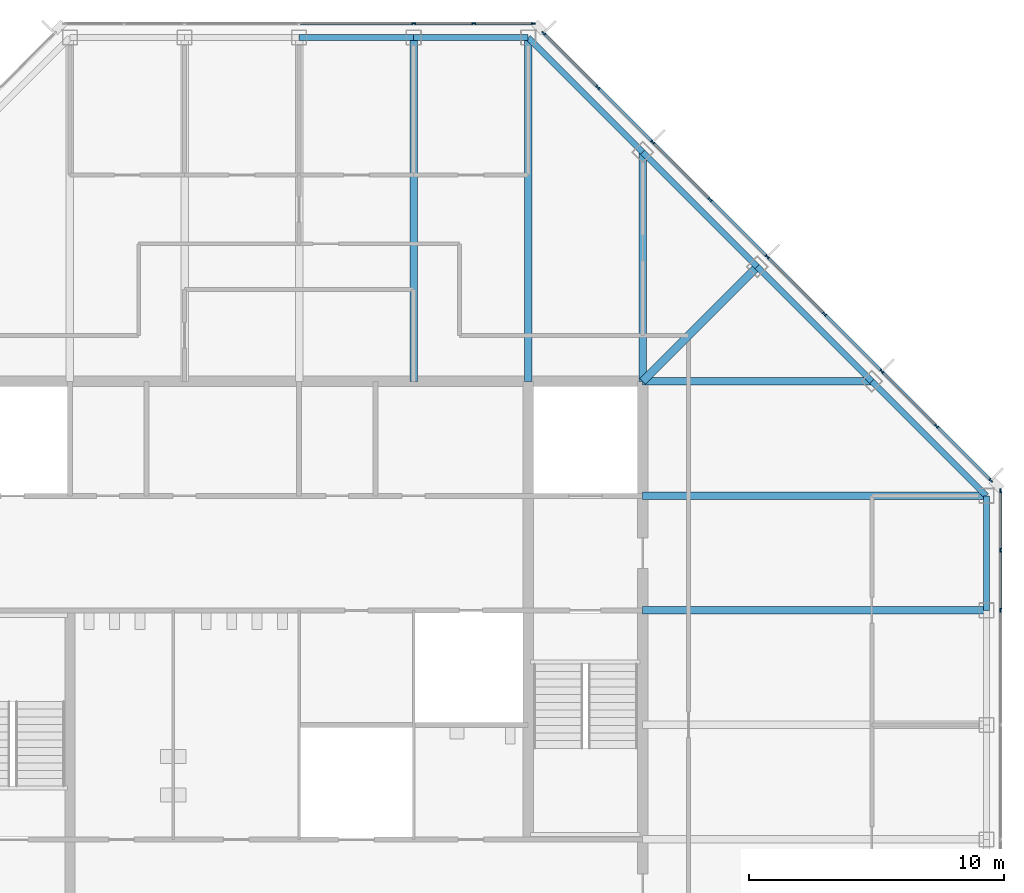
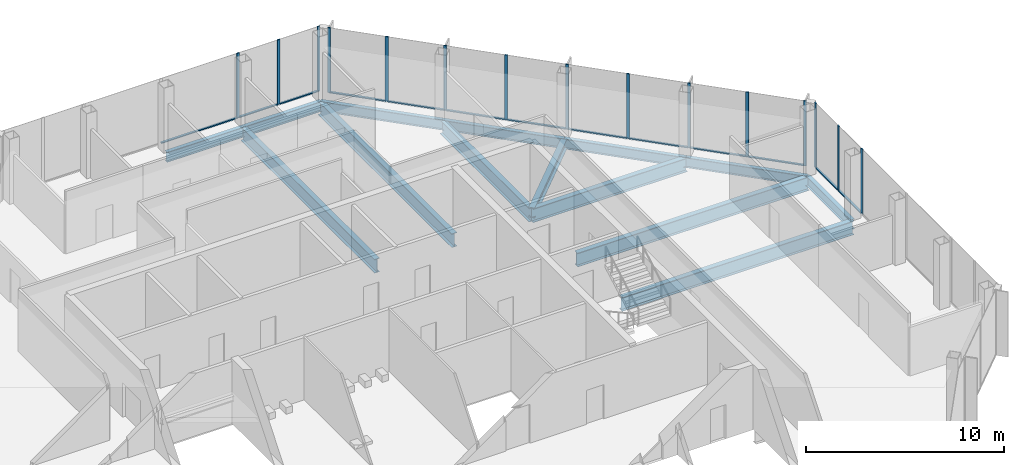
# One storey, part 7 of 14: 28 members, 14 beams, 3 elements without a shape of their own.
"""IFC4 building model written with IfcOpenShell, lengths in metres."""

from ifc_helpers import new_model, si_unit, direction, frame, origin, origin_2d, place, context, subcontext, project, spatial, rectangle, i_section, extrude, material, material_profile, profile_set, type_object, element, aggregate, save


model = new_model("IFC4")

# Units and contexts
model_context = context("Model", 3, precision=1e-05, world=origin(), true_north=direction((0.0, 1.0)))
body_context = subcontext(model_context, "Body", "Model", "MODEL_VIEW")
ifc_project = project(units=[si_unit("LENGTHUNIT", "METRE"), si_unit("AREAUNIT", "SQUARE_METRE"), si_unit("VOLUMEUNIT", "CUBIC_METRE"), si_unit("PLANEANGLEUNIT", "RADIAN"), si_unit("MASSUNIT", "GRAM", prefix="KILO")], contexts=[model_context])

# Site, building, storey
site_placement = place(None, origin())
site = spatial("IfcSite", under=ifc_project, at=site_placement, CompositionType="ELEMENT")
building_placement = place(site_placement, origin())
building = spatial("IfcBuilding", under=site, at=building_placement, Name="Corais Broadcast Tower", CompositionType="ELEMENT")
storey_placement = place(building_placement, frame((0.0, 0.0, 282.60009765625)))
storey = spatial("IfcBuildingStorey", under=building, at=storey_placement, Name="L66", CompositionType="ELEMENT", Elevation=282.60009765625)

# Beams
ifc_material_1 = material(Name="Steel ASTM A572 Grade 50", Category="steel")
ifc_material_profile_1 = material_profile(ifc_material_1, i_section(OverallWidth=0.323974609375, OverallDepth=0.611083984375, WebThickness=0.0126953125, FlangeThickness=0.01904296875, at=origin_2d()), Name="W610x155")
ifc_profile_set_1 = profile_set([ifc_material_profile_1], Name="Steel ASTM A572 Grade 50")
beam_type_1 = type_object("IfcBeamType", Name="Corner diagonal W610x155", PredefinedType="BEAM", material=ifc_profile_set_1)
beam_1_placement = place(storey_placement, frame((45.0, 45.0, -0.465576171875), z_axis=(-0.707106781187, -0.707106781187, 0.0), x_axis=(0.707106781187, -0.707106781187, 0.0)))
element("IfcBeam", 1, at=beam_1_placement, inside=storey, type_object=beam_type_1, Name="B6 L/13 to K/12", PredefinedType="BEAM", context=body_context, shape_type="SweptSolid", body=[
    extrude(i_section(OverallWidth=0.323974609375, OverallDepth=0.611083984375, WebThickness=0.0126953125, FlangeThickness=0.01904296875, at=origin_2d()), origin(), (0.0, 0.0, 1.0), 6.364013671875),
])
ifc_material_2 = material(Name="Steel ASTM A572 Grade 50", Category="steel")
ifc_material_profile_2 = material_profile(ifc_material_2, i_section(OverallWidth=0.2939453125, OverallDepth=0.85107421875, WebThickness=0.01611328125, FlangeThickness=0.02685546875, at=origin_2d()), Name="W840x226")
ifc_profile_set_2 = profile_set([ifc_material_profile_2], Name="Steel ASTM A572 Grade 50")
beam_type_2 = type_object("IfcBeamType", Name="Floor beam W840x226", PredefinedType="BEAM", material=ifc_profile_set_2)
for number, where, z_axis, x_axis, name in (
    (2, (31.5, 54.0, -0.585693359375), (0.0, -1.0, 0.0), (1.0, 0.0, 0.0), "B1 N/10 to K/10"),
    (3, (36.0, 54.0, -0.585693359375), (0.0, -1.0, 0.0), (1.0, 0.0, 0.0), "B1 N/11 to K/11"),
):
    element("IfcBeam", number, at=place(storey_placement, frame(where, z_axis=z_axis, x_axis=x_axis)), inside=storey, type_object=beam_type_2, Name=name, PredefinedType="BEAM", context=body_context, shape_type="SweptSolid", body=[
        extrude(i_section(OverallWidth=0.2939453125, OverallDepth=0.85107421875, WebThickness=0.01611328125, FlangeThickness=0.02685546875, at=origin_2d()), origin(), (0.0, 0.0, 1.0), 13.5),
    ])
for number, where, z_axis, x_axis, name in (
    (4, (40.5, 49.5, -0.585693359375), (0.0, -1.0, 0.0), (1.0, 0.0, 0.0), "B1 M/12 to K/12"),
    (5, (49.5, 40.5, -0.585693359375), (-1.0, 0.0, 0.0), (0.0, -1.0, 0.0), "B1 K/14 to K/12"),
):
    element("IfcBeam", number, at=place(storey_placement, frame(where, z_axis=z_axis, x_axis=x_axis)), inside=storey, type_object=beam_type_2, Name=name, PredefinedType="BEAM", context=body_context, shape_type="SweptSolid", body=[
        extrude(i_section(OverallWidth=0.2939453125, OverallDepth=0.85107421875, WebThickness=0.01611328125, FlangeThickness=0.02685546875, at=origin_2d()), origin(), (0.0, 0.0, 1.0), 9.0),
    ])
for number, where, z_axis, x_axis, name in (
    (6, (54.0, 31.5, -0.585693359375), (-1.0, 0.0, 0.0), (0.0, -1.0, 0.0), "B1 H/15 to H/12"),
    (7, (54.0, 36.0, -0.585693359375), (-1.0, 0.0, 0.0), (0.0, -1.0, 0.0), "B1 J/15 to J/12"),
):
    element("IfcBeam", number, at=place(storey_placement, frame(where, z_axis=z_axis, x_axis=x_axis)), inside=storey, type_object=beam_type_2, Name=name, PredefinedType="BEAM", context=body_context, shape_type="SweptSolid", body=[
        extrude(i_section(OverallWidth=0.2939453125, OverallDepth=0.85107421875, WebThickness=0.01611328125, FlangeThickness=0.02685546875, at=origin_2d()), origin(), (0.0, 0.0, 1.0), 13.5),
    ])

# Curtain wall, members
ifc_material_3 = material(Name="Aluminium and glass", Category="aluminium")
curtain_wall_type = type_object("IfcCurtainWallType", Name="Unitised fritted curtain wall CW3", PredefinedType="NOTDEFINED", material=ifc_material_3)
curtain_wall_1_placement = place(storey_placement, origin())
curtain_wall_1 = element("IfcCurtainWall", 8, at=curtain_wall_1_placement, inside=storey, type_object=curtain_wall_type, Name="CW3 curtain wall L66 4", PredefinedType="NOTDEFINED")
ifc_material_4 = material(Name="Aluminium 6063-T6", Category="aluminium")
ifc_material_profile_3 = material_profile(ifc_material_4, rectangle(XDim=0.06494140625, YDim=0.159912109375, at=origin_2d()), Name="Mullion CW3 65x160")
ifc_profile_set_3 = profile_set([ifc_material_profile_3], Name="Aluminium 6063-T6")
member_type_1 = type_object("IfcMemberType", Name="Mullion CW3 65x160", PredefinedType="MULLION", material=ifc_profile_set_3)
member_1_placement = place(storey_placement, frame((31.5, 54.550048828125, 0.0), z_axis=(0.0, 0.0, 1.0), x_axis=(0.0, 1.0, 0.0)))
member_1 = element("IfcMember", 9, at=member_1_placement, type_object=member_type_1, Name="CW3 mullion 5", PredefinedType="MULLION", context=body_context, shape_type="SweptSolid", body=[
    extrude(rectangle(XDim=0.06494140625, YDim=0.159912109375, at=origin_2d()), origin(), (0.0, 0.0, 1.0), 4.0),
])
member_2_placement = place(storey_placement, frame((33.864013671875, 54.550048828125, 0.0), z_axis=(0.0, 0.0, 1.0), x_axis=(0.0, 1.0, 0.0)))
member_2 = element("IfcMember", 10, at=member_2_placement, type_object=member_type_1, Name="CW3 mullion 6", PredefinedType="MULLION", context=body_context, shape_type="SweptSolid", body=[
    extrude(rectangle(XDim=0.06494140625, YDim=0.159912109375, at=origin_2d()), origin(), (0.0, 0.0, 1.0), 4.0),
])
member_3_placement = place(storey_placement, frame((36.1953125, 54.550048828125, 0.0), z_axis=(0.0, 0.0, 1.0), x_axis=(0.0, 1.0, 0.0)))
member_3 = element("IfcMember", 11, at=member_3_placement, type_object=member_type_1, Name="CW3 mullion 7", PredefinedType="MULLION", context=body_context, shape_type="SweptSolid", body=[
    extrude(rectangle(XDim=0.06494140625, YDim=0.159912109375, at=origin_2d()), origin(), (0.0, 0.0, 1.0), 4.0),
])

curtain_wall_2_placement = place(storey_placement, origin())
curtain_wall_2 = element("IfcCurtainWall", 12, at=curtain_wall_2_placement, inside=storey, type_object=curtain_wall_type, Name="CW3 curtain wall L66 5", PredefinedType="NOTDEFINED")
member_4_placement = place(storey_placement, frame((36.6044921875, 54.17333984375, 0.0), z_axis=(0.0, 0.0, 1.0), x_axis=(0.707106781187, 0.707106781187, 0.0)))
member_4 = element("IfcMember", 13, at=member_4_placement, type_object=member_type_1, Name="CW3 mullion 1", PredefinedType="MULLION", context=body_context, shape_type="SweptSolid", body=[
    extrude(rectangle(XDim=0.06494140625, YDim=0.159912109375, at=origin_2d()), origin(), (0.0, 0.0, 1.0), 4.0),
])
member_5_placement = place(storey_placement, frame((38.735107421875, 52.042724609375, 0.0), z_axis=(0.0, 0.0, 1.0), x_axis=(0.707106781187, 0.707106781187, 0.0)))
member_5 = element("IfcMember", 14, at=member_5_placement, type_object=member_type_1, Name="CW3 mullion 2", PredefinedType="MULLION", context=body_context, shape_type="SweptSolid", body=[
    extrude(rectangle(XDim=0.06494140625, YDim=0.159912109375, at=origin_2d()), origin(), (0.0, 0.0, 1.0), 4.0),
])
member_6_placement = place(storey_placement, frame((40.888916015625, 49.888916015625, 0.0), z_axis=(0.0, 0.0, 1.0), x_axis=(0.707106781187, 0.707106781187, 0.0)))
member_6 = element("IfcMember", 15, at=member_6_placement, type_object=member_type_1, Name="CW3 mullion 3", PredefinedType="MULLION", context=body_context, shape_type="SweptSolid", body=[
    extrude(rectangle(XDim=0.06494140625, YDim=0.159912109375, at=origin_2d()), origin(), (0.0, 0.0, 1.0), 4.0),
])
member_7_placement = place(storey_placement, frame((43.138916015625, 47.638916015625, 0.0), z_axis=(0.0, 0.0, 1.0), x_axis=(0.707106781187, 0.707106781187, 0.0)))
member_7 = element("IfcMember", 16, at=member_7_placement, type_object=member_type_1, Name="CW3 mullion 4", PredefinedType="MULLION", context=body_context, shape_type="SweptSolid", body=[
    extrude(rectangle(XDim=0.06494140625, YDim=0.159912109375, at=origin_2d()), origin(), (0.0, 0.0, 1.0), 4.0),
])
member_8_placement = place(storey_placement, frame((45.388916015625, 45.388916015625, 0.0), z_axis=(0.0, 0.0, 1.0), x_axis=(0.707106781187, 0.707106781187, 0.0)))
member_8 = element("IfcMember", 17, at=member_8_placement, type_object=member_type_1, Name="CW3 mullion 5", PredefinedType="MULLION", context=body_context, shape_type="SweptSolid", body=[
    extrude(rectangle(XDim=0.06494140625, YDim=0.159912109375, at=origin_2d()), origin(), (0.0, 0.0, 1.0), 4.0),
])
member_9_placement = place(storey_placement, frame((47.638916015625, 43.138916015625, 0.0), z_axis=(0.0, 0.0, 1.0), x_axis=(0.707106781187, 0.707106781187, 0.0)))
member_9 = element("IfcMember", 18, at=member_9_placement, type_object=member_type_1, Name="CW3 mullion 6", PredefinedType="MULLION", context=body_context, shape_type="SweptSolid", body=[
    extrude(rectangle(XDim=0.06494140625, YDim=0.159912109375, at=origin_2d()), origin(), (0.0, 0.0, 1.0), 4.0),
])
member_10_placement = place(storey_placement, frame((49.888916015625, 40.888916015625, 0.0), z_axis=(0.0, 0.0, 1.0), x_axis=(0.707106781187, 0.707106781187, 0.0)))
member_10 = element("IfcMember", 19, at=member_10_placement, type_object=member_type_1, Name="CW3 mullion 7", PredefinedType="MULLION", context=body_context, shape_type="SweptSolid", body=[
    extrude(rectangle(XDim=0.06494140625, YDim=0.159912109375, at=origin_2d()), origin(), (0.0, 0.0, 1.0), 4.0),
])
member_11_placement = place(storey_placement, frame((52.042724609375, 38.735107421875, 0.0), z_axis=(0.0, 0.0, 1.0), x_axis=(0.707106781187, 0.707106781187, 0.0)))
member_11 = element("IfcMember", 20, at=member_11_placement, type_object=member_type_1, Name="CW3 mullion 8", PredefinedType="MULLION", context=body_context, shape_type="SweptSolid", body=[
    extrude(rectangle(XDim=0.06494140625, YDim=0.159912109375, at=origin_2d()), origin(), (0.0, 0.0, 1.0), 4.0),
])
member_12_placement = place(storey_placement, frame((54.17333984375, 36.6044921875, 0.0), z_axis=(0.0, 0.0, 1.0), x_axis=(0.707106781187, 0.707106781187, 0.0)))
member_12 = element("IfcMember", 21, at=member_12_placement, type_object=member_type_1, Name="CW3 mullion 9", PredefinedType="MULLION", context=body_context, shape_type="SweptSolid", body=[
    extrude(rectangle(XDim=0.06494140625, YDim=0.159912109375, at=origin_2d()), origin(), (0.0, 0.0, 1.0), 4.0),
])

curtain_wall_3_placement = place(storey_placement, origin())
curtain_wall_3 = element("IfcCurtainWall", 22, at=curtain_wall_3_placement, inside=storey, type_object=curtain_wall_type, Name="CW3 curtain wall L66 6", PredefinedType="NOTDEFINED")
member_13_placement = place(storey_placement, frame((54.550048828125, 36.1953125, 0.0), z_axis=(0.0, 0.0, 1.0), x_axis=(1.0, 0.0, 0.0)))
member_13 = element("IfcMember", 23, at=member_13_placement, type_object=member_type_1, Name="CW3 mullion 1", PredefinedType="MULLION", context=body_context, shape_type="SweptSolid", body=[
    extrude(rectangle(XDim=0.06494140625, YDim=0.159912109375, at=origin_2d()), origin(), (0.0, 0.0, 1.0), 4.0),
])
member_14_placement = place(storey_placement, frame((54.550048828125, 33.864013671875, 0.0), z_axis=(0.0, 0.0, 1.0), x_axis=(1.0, 0.0, 0.0)))
member_14 = element("IfcMember", 24, at=member_14_placement, type_object=member_type_1, Name="CW3 mullion 2", PredefinedType="MULLION", context=body_context, shape_type="SweptSolid", body=[
    extrude(rectangle(XDim=0.06494140625, YDim=0.159912109375, at=origin_2d()), origin(), (0.0, 0.0, 1.0), 4.0),
])
member_15_placement = place(storey_placement, frame((54.550048828125, 31.5, 0.0), z_axis=(0.0, 0.0, 1.0), x_axis=(1.0, 0.0, 0.0)))
member_15 = element("IfcMember", 25, at=member_15_placement, type_object=member_type_1, Name="CW3 mullion 3", PredefinedType="MULLION", context=body_context, shape_type="SweptSolid", body=[
    extrude(rectangle(XDim=0.06494140625, YDim=0.159912109375, at=origin_2d()), origin(), (0.0, 0.0, 1.0), 4.0),
])

# Beams
ifc_material_5 = material(Name="Steel ASTM A572 Grade 50", Category="steel")
ifc_material_profile_4 = material_profile(ifc_material_5, i_section(OverallWidth=0.22998046875, OverallDepth=0.616943359375, WebThickness=0.01318359375, FlangeThickness=0.022216796875, at=origin_2d()), Name="W610x140")
ifc_profile_set_4 = profile_set([ifc_material_profile_4], Name="Steel ASTM A572 Grade 50")
beam_type_3 = type_object("IfcBeamType", Name="Spandrel W610x140", PredefinedType="BEAM", material=ifc_profile_set_4)
for number, where, z_axis, x_axis, name in (
    (26, (31.5, 54.0, -0.468505859375), (-1.0, 0.0, 0.0), (0.0, -1.0, 0.0), "SB3 N/10 to N/9"),
    (27, (36.0, 54.0, -0.468505859375), (-1.0, 0.0, 0.0), (0.0, -1.0, 0.0), "SB3 N/11 to N/10"),
):
    element("IfcBeam", number, at=place(storey_placement, frame(where, z_axis=z_axis, x_axis=x_axis)), inside=storey, type_object=beam_type_3, Name=name, PredefinedType="BEAM", context=body_context, shape_type="SweptSolid", body=[
        extrude(i_section(OverallWidth=0.22998046875, OverallDepth=0.616943359375, WebThickness=0.01318359375, FlangeThickness=0.022216796875, at=origin_2d()), origin(), (0.0, 0.0, 1.0), 4.5),
    ])
for number, where, z_axis, x_axis, name in (
    (28, (40.5, 49.5, -0.468505859375), (-0.707106781187, 0.707106781187, 0.0), (-0.707106781187, -0.707106781187, 0.0), "SB3 M/12 to N/11"),
    (29, (45.0, 45.0, -0.468505859375), (-0.707106781187, 0.707106781187, 0.0), (-0.707106781187, -0.707106781187, 0.0), "SB3 L/13 to M/12"),
    (30, (49.5, 40.5, -0.468505859375), (-0.707106781187, 0.707106781187, 0.0), (-0.707106781187, -0.707106781187, 0.0), "SB3 K/14 to L/13"),
):
    element("IfcBeam", number, at=place(storey_placement, frame(where, z_axis=z_axis, x_axis=x_axis)), inside=storey, type_object=beam_type_3, Name=name, PredefinedType="BEAM", context=body_context, shape_type="SweptSolid", body=[
        extrude(i_section(OverallWidth=0.22998046875, OverallDepth=0.616943359375, WebThickness=0.01318359375, FlangeThickness=0.022216796875, at=origin_2d()), origin(), (0.0, 0.0, 1.0), 6.364013671875),
    ])
beam_2_placement = place(storey_placement, frame((54.0, 31.5, -0.468505859375), z_axis=(0.0, 1.0, 0.0), x_axis=(-1.0, 0.0, 0.0)))
element("IfcBeam", 31, at=beam_2_placement, inside=storey, type_object=beam_type_3, Name="SB3 H/15 to J/15", PredefinedType="BEAM", context=body_context, shape_type="SweptSolid", body=[
    extrude(i_section(OverallWidth=0.22998046875, OverallDepth=0.616943359375, WebThickness=0.01318359375, FlangeThickness=0.022216796875, at=origin_2d()), origin(), (0.0, 0.0, 1.0), 4.5),
])
beam_3_placement = place(storey_placement, frame((54.0, 36.0, -0.468505859375), z_axis=(-0.707106781187, 0.707106781187, 0.0), x_axis=(-0.707106781187, -0.707106781187, 0.0)))
element("IfcBeam", 32, at=beam_3_placement, inside=storey, type_object=beam_type_3, Name="SB3 J/15 to K/14", PredefinedType="BEAM", context=body_context, shape_type="SweptSolid", body=[
    extrude(i_section(OverallWidth=0.22998046875, OverallDepth=0.616943359375, WebThickness=0.01318359375, FlangeThickness=0.022216796875, at=origin_2d()), origin(), (0.0, 0.0, 1.0), 6.364013671875),
])

# Member
ifc_material_6 = material(Name="Aluminium 6063-T6", Category="aluminium")
ifc_material_profile_5 = material_profile(ifc_material_6, rectangle(XDim=0.1201171875, YDim=0.06494140625, at=origin_2d()), Name="Transom CW3 65x120")
ifc_profile_set_5 = profile_set([ifc_material_profile_5], Name="Aluminium 6063-T6")
member_type_2 = type_object("IfcMemberType", Name="Transom CW3 65x120", PredefinedType="USERDEFINED", material=ifc_profile_set_5)
member_16_placement = place(storey_placement, frame((27.032470703125, 54.550048828125, 0.032470703125), z_axis=(1.0, 0.0, 0.0), x_axis=(0.0, 1.0, 0.0)))
member_16 = element("IfcMember", 33, at=member_16_placement, type_object=member_type_2, Name="CW3 transom 4.1", ObjectType="TRANSOM", PredefinedType="USERDEFINED", context=body_context, shape_type="SweptSolid", body=[
    extrude(rectangle(XDim=0.1201171875, YDim=0.06494140625, at=origin_2d()), origin(), (0.0, 0.0, 1.0), 4.43505859375),
])

member_17_placement = place(storey_placement, frame((31.532470703125, 54.550048828125, 0.032470703125), z_axis=(1.0, 0.0, 0.0), x_axis=(0.0, 1.0, 0.0)))
member_17 = element("IfcMember", 34, at=member_17_placement, type_object=member_type_2, Name="CW3 transom 5.1", ObjectType="TRANSOM", PredefinedType="USERDEFINED", context=body_context, shape_type="SweptSolid", body=[
    extrude(rectangle(XDim=0.1201171875, YDim=0.06494140625, at=origin_2d()), origin(), (0.0, 0.0, 1.0), 2.298828125),
])

member_18_placement = place(storey_placement, frame((33.896484375, 54.550048828125, 0.032470703125), z_axis=(1.0, 0.0, 0.0), x_axis=(0.0, 1.0, 0.0)))
member_18 = element("IfcMember", 35, at=member_18_placement, type_object=member_type_2, Name="CW3 transom 6.1", ObjectType="TRANSOM", PredefinedType="USERDEFINED", context=body_context, shape_type="SweptSolid", body=[
    extrude(rectangle(XDim=0.1201171875, YDim=0.06494140625, at=origin_2d()), origin(), (0.0, 0.0, 1.0), 2.266357421875),
])

aggregate(curtain_wall_1, [member_1, member_2, member_3, member_16, member_17, member_18])

member_19_placement = place(storey_placement, frame((36.62744140625, 54.150390625, 0.032470703125), z_axis=(0.707106781187, -0.707106781187, 0.0), x_axis=(0.707106781187, 0.707106781187, 0.0)))
member_19 = element("IfcMember", 36, at=member_19_placement, type_object=member_type_2, Name="CW3 transom 1.1", ObjectType="TRANSOM", PredefinedType="USERDEFINED", context=body_context, shape_type="SweptSolid", body=[
    extrude(rectangle(XDim=0.1201171875, YDim=0.06494140625, at=origin_2d()), origin(), (0.0, 0.0, 1.0), 2.9482421875),
])

member_20_placement = place(storey_placement, frame((38.758056640625, 52.019775390625, 0.032470703125), z_axis=(0.707106781187, -0.707106781187, 0.0), x_axis=(0.707106781187, 0.707106781187, 0.0)))
member_20 = element("IfcMember", 37, at=member_20_placement, type_object=member_type_2, Name="CW3 transom 2.1", ObjectType="TRANSOM", PredefinedType="USERDEFINED", context=body_context, shape_type="SweptSolid", body=[
    extrude(rectangle(XDim=0.1201171875, YDim=0.06494140625, at=origin_2d()), origin(), (0.0, 0.0, 1.0), 2.98095703125),
])

member_21_placement = place(storey_placement, frame((40.911865234375, 49.865966796875, 0.032470703125), z_axis=(0.707106781187, -0.707106781187, 0.0), x_axis=(0.707106781187, 0.707106781187, 0.0)))
member_21 = element("IfcMember", 38, at=member_21_placement, type_object=member_type_2, Name="CW3 transom 3.1", ObjectType="TRANSOM", PredefinedType="USERDEFINED", context=body_context, shape_type="SweptSolid", body=[
    extrude(rectangle(XDim=0.1201171875, YDim=0.06494140625, at=origin_2d()), origin(), (0.0, 0.0, 1.0), 3.1171875),
])

member_22_placement = place(storey_placement, frame((43.161865234375, 47.615966796875, 0.032470703125), z_axis=(0.707106781187, -0.707106781187, 0.0), x_axis=(0.707106781187, 0.707106781187, 0.0)))
member_22 = element("IfcMember", 39, at=member_22_placement, type_object=member_type_2, Name="CW3 transom 4.1", ObjectType="TRANSOM", PredefinedType="USERDEFINED", context=body_context, shape_type="SweptSolid", body=[
    extrude(rectangle(XDim=0.1201171875, YDim=0.06494140625, at=origin_2d()), origin(), (0.0, 0.0, 1.0), 3.1171875),
])

member_23_placement = place(storey_placement, frame((45.411865234375, 45.365966796875, 0.032470703125), z_axis=(0.707106781187, -0.707106781187, 0.0), x_axis=(0.707106781187, 0.707106781187, 0.0)))
member_23 = element("IfcMember", 40, at=member_23_placement, type_object=member_type_2, Name="CW3 transom 5.1", ObjectType="TRANSOM", PredefinedType="USERDEFINED", context=body_context, shape_type="SweptSolid", body=[
    extrude(rectangle(XDim=0.1201171875, YDim=0.06494140625, at=origin_2d()), origin(), (0.0, 0.0, 1.0), 3.1171875),
])

member_24_placement = place(storey_placement, frame((47.661865234375, 43.115966796875, 0.032470703125), z_axis=(0.707106781187, -0.707106781187, 0.0), x_axis=(0.707106781187, 0.707106781187, 0.0)))
member_24 = element("IfcMember", 41, at=member_24_placement, type_object=member_type_2, Name="CW3 transom 6.1", ObjectType="TRANSOM", PredefinedType="USERDEFINED", context=body_context, shape_type="SweptSolid", body=[
    extrude(rectangle(XDim=0.1201171875, YDim=0.06494140625, at=origin_2d()), origin(), (0.0, 0.0, 1.0), 3.1171875),
])

member_25_placement = place(storey_placement, frame((49.911865234375, 40.865966796875, 0.032470703125), z_axis=(0.707065828661, -0.70714773134, 0.0), x_axis=(0.70714773134, 0.707065828661, 0.0)))
member_25 = element("IfcMember", 42, at=member_25_placement, type_object=member_type_2, Name="CW3 transom 7.1", ObjectType="TRANSOM", PredefinedType="USERDEFINED", context=body_context, shape_type="SweptSolid", body=[
    extrude(rectangle(XDim=0.1201171875, YDim=0.06494140625, at=origin_2d()), origin(), (0.0, 0.0, 1.0), 2.98095703125),
])

member_26_placement = place(storey_placement, frame((52.065673828125, 38.712158203125, 0.032470703125), z_axis=(0.707106781187, -0.707106781187, 0.0), x_axis=(0.707106781187, 0.707106781187, 0.0)))
member_26 = element("IfcMember", 43, at=member_26_placement, type_object=member_type_2, Name="CW3 transom 8.1", ObjectType="TRANSOM", PredefinedType="USERDEFINED", context=body_context, shape_type="SweptSolid", body=[
    extrude(rectangle(XDim=0.1201171875, YDim=0.06494140625, at=origin_2d()), origin(), (0.0, 0.0, 1.0), 2.9482421875),
])

aggregate(curtain_wall_2, [member_4, member_5, member_6, member_7, member_8, member_9, member_10, member_11, member_12, member_19, member_20, member_21, member_22, member_23, member_24, member_25, member_26])

member_27_placement = place(storey_placement, frame((54.550048828125, 36.162841796875, 0.032470703125), z_axis=(0.0, -1.0, 0.0), x_axis=(1.0, 0.0, 0.0)))
member_27 = element("IfcMember", 44, at=member_27_placement, type_object=member_type_2, Name="CW3 transom 1.1", ObjectType="TRANSOM", PredefinedType="USERDEFINED", context=body_context, shape_type="SweptSolid", body=[
    extrude(rectangle(XDim=0.1201171875, YDim=0.06494140625, at=origin_2d()), origin(), (0.0, 0.0, 1.0), 2.266357421875),
])

member_28_placement = place(storey_placement, frame((54.550048828125, 33.831298828125, 0.032470703125), z_axis=(0.0, -1.0, 0.0), x_axis=(1.0, 0.0, 0.0)))
member_28 = element("IfcMember", 45, at=member_28_placement, type_object=member_type_2, Name="CW3 transom 2.1", ObjectType="TRANSOM", PredefinedType="USERDEFINED", context=body_context, shape_type="SweptSolid", body=[
    extrude(rectangle(XDim=0.1201171875, YDim=0.06494140625, at=origin_2d()), origin(), (0.0, 0.0, 1.0), 2.298828125),
])

aggregate(curtain_wall_3, [member_13, member_14, member_15, member_27, member_28])

save(model, "model.ifc")
